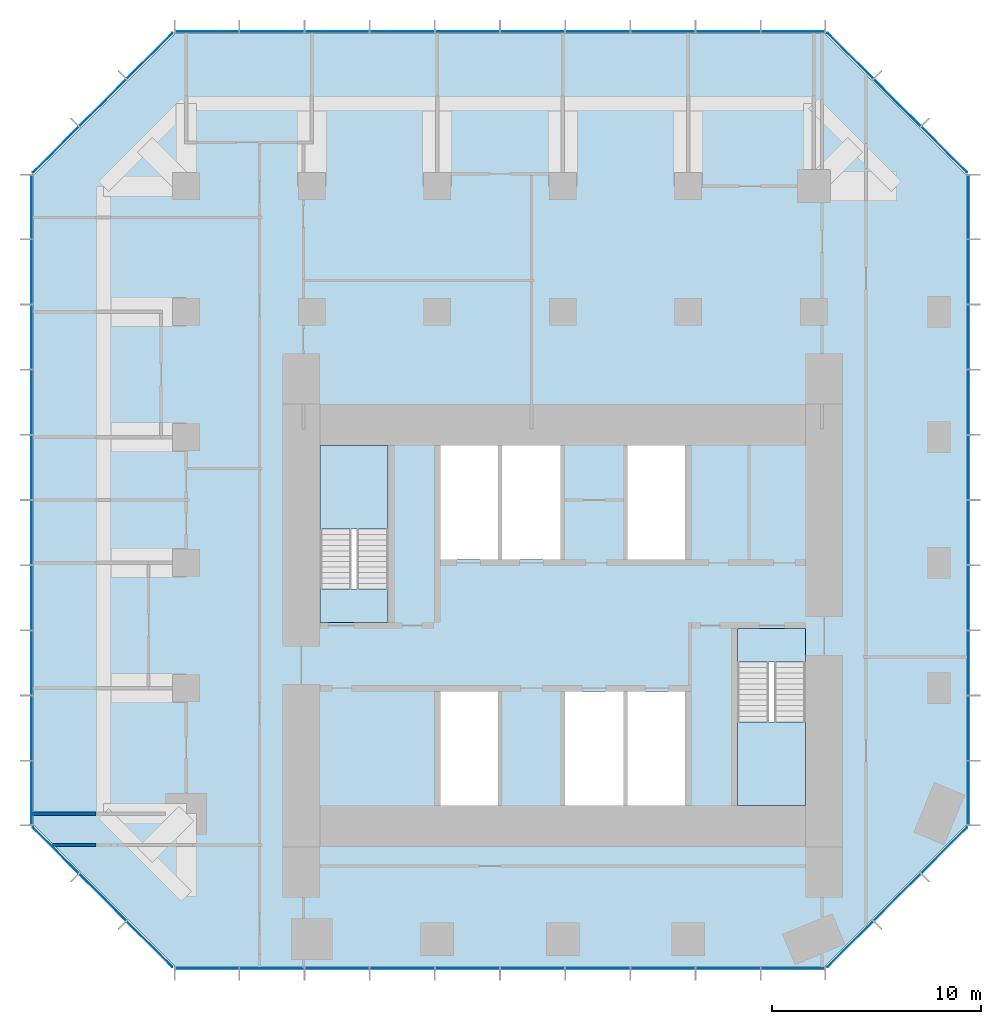
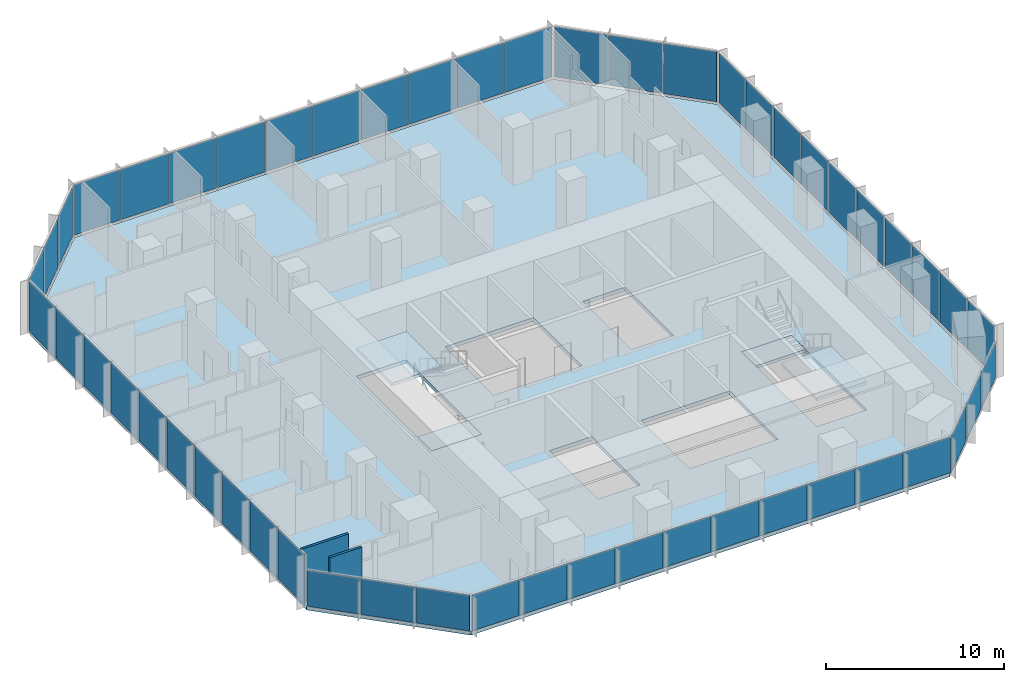
# One storey, part 7 of 11: 52 plates, 5 slabs, 2 walls, 10 elements without a shape of their own.
"""IFC4 building model written with IfcOpenShell, lengths in metres."""

from ifc_helpers import new_model, si_unit, direction, frame, frame_2d, origin, origin_2d, place, context, subcontext, project, spatial, polyline, rectangle, outline, extrude, material, layer, layer_set, type_object, element, aggregate, save


model = new_model("IFC4")

# Units and contexts
model_context = context("Model", 3, precision=1e-05, world=origin(), true_north=direction((0.0, 1.0)))
body_context = subcontext(model_context, "Body", "Model", "MODEL_VIEW")
ifc_project = project(units=[si_unit("LENGTHUNIT", "METRE"), si_unit("AREAUNIT", "SQUARE_METRE"), si_unit("VOLUMEUNIT", "CUBIC_METRE"), si_unit("PLANEANGLEUNIT", "RADIAN"), si_unit("MASSUNIT", "GRAM", prefix="KILO")], contexts=[model_context])

# Site, building, storey
site_placement = place(None, origin())
site = spatial("IfcSite", under=ifc_project, at=site_placement, CompositionType="ELEMENT")
building_placement = place(site_placement, origin())
building = spatial("IfcBuilding", under=site, at=building_placement, Name="Highveld Stack Headquarters", CompositionType="ELEMENT")
storey_placement = place(building_placement, frame((0.0, 0.0, 208.39990234375)))
storey = spatial("IfcBuildingStorey", under=building, at=storey_placement, Name="L51", CompositionType="ELEMENT", Elevation=208.39990234375)

# Curtain wall, plates
ifc_material_1 = material(Name="Aluminium bronze anodised", Category="aluminium")
ifc_layer_1 = layer(ifc_material_1, 0.199951171875)
ifc_layer_set_1 = layer_set([ifc_layer_1], Name="Aluminium bronze anodised")
curtain_wall_type_1 = type_object("IfcCurtainWallType", Name="CW1 TOWER UNITISED CURTAIN WALL", PredefinedType="NOTDEFINED", material=ifc_layer_set_1)
curtain_wall_1_placement = place(storey_placement, origin())
curtain_wall_1 = element("IfcCurtainWall", 1, at=curtain_wall_1_placement, inside=storey, type_object=curtain_wall_type_1, Name="Curtain wall CW1 L51 S", PredefinedType="NOTDEFINED")
ifc_material_2 = material(Name="Glass bronze tinted double glazed unit", Category="glass")
ifc_layer_2 = layer(ifc_material_2, 0.028076171875)
ifc_layer_set_2 = layer_set([ifc_layer_2], Name="Glass bronze tinted double glazed unit")
plate_type_1 = type_object("IfcPlateType", Name="CW1 PANEL BRONZE TINTED DOUBLE GLAZED UNIT", PredefinedType="CURTAIN_PANEL", material=ifc_layer_set_2)
plate_1_placement = place(storey_placement, frame((-11.005615234375, -13.39990234375, 0.10009765625), z_axis=(0.0, 0.0, 1.0), x_axis=(1.0, 0.0, 0.0)))
plate_1 = element("IfcPlate", 2, at=plate_1_placement, type_object=plate_type_1, Name="CW1 panel L51 1.1", PredefinedType="CURTAIN_PANEL", context=body_context, shape_type="SweptSolid", body=[
    extrude(rectangle(XDim=3.0185546875, YDim=0.028076171875, at=origin_2d()), origin(), (0.0, 0.0, 1.0), 2.449951171875),
])
plate_2_placement = place(storey_placement, frame((-7.906005859375, -13.39990234375, 0.10009765625), z_axis=(0.0, 0.0, 1.0), x_axis=(1.0, 0.0, 0.0)))
plate_2 = element("IfcPlate", 3, at=plate_2_placement, type_object=plate_type_1, Name="CW1 panel L51 2.1", PredefinedType="CURTAIN_PANEL", context=body_context, shape_type="SweptSolid", body=[
    extrude(rectangle(XDim=3.051025390625, YDim=0.028076171875, at=origin_2d()), origin(), (0.0, 0.0, 1.0), 2.449951171875),
])
plate_3_placement = place(storey_placement, frame((-4.7900390625, -13.39990234375, 0.10009765625), z_axis=(0.0, 0.0, 1.0), x_axis=(1.0, 0.0, 0.0)))
plate_3 = element("IfcPlate", 4, at=plate_3_placement, type_object=plate_type_1, Name="CW1 panel L51 3.1", PredefinedType="CURTAIN_PANEL", context=body_context, shape_type="SweptSolid", body=[
    extrude(rectangle(XDim=3.051025390625, YDim=0.028076171875, at=origin_2d()), origin(), (0.0, 0.0, 1.0), 2.449951171875),
])
plate_4_placement = place(storey_placement, frame((-1.674072265625, -13.39990234375, 0.10009765625), z_axis=(0.0, 0.0, 1.0), x_axis=(1.0, 0.0, 0.0)))
plate_4 = element("IfcPlate", 5, at=plate_4_placement, type_object=plate_type_1, Name="CW1 panel L51 4.1", PredefinedType="CURTAIN_PANEL", context=body_context, shape_type="SweptSolid", body=[
    extrude(rectangle(XDim=3.051025390625, YDim=0.028076171875, at=origin_2d()), origin(), (0.0, 0.0, 1.0), 2.449951171875),
])
plate_5_placement = place(storey_placement, frame((1.44189453125, -13.39990234375, 0.10009765625), z_axis=(0.0, 0.0, 1.0), x_axis=(1.0, 0.0, 0.0)))
plate_5 = element("IfcPlate", 6, at=plate_5_placement, type_object=plate_type_1, Name="CW1 panel L51 5.1", PredefinedType="CURTAIN_PANEL", context=body_context, shape_type="SweptSolid", body=[
    extrude(rectangle(XDim=3.051025390625, YDim=0.028076171875, at=origin_2d()), origin(), (0.0, 0.0, 1.0), 2.449951171875),
])
plate_6_placement = place(storey_placement, frame((4.55810546875, -13.39990234375, 0.10009765625), z_axis=(0.0, 0.0, 1.0), x_axis=(1.0, 0.0, 0.0)))
plate_6 = element("IfcPlate", 7, at=plate_6_placement, type_object=plate_type_1, Name="CW1 panel L51 6.1", PredefinedType="CURTAIN_PANEL", context=body_context, shape_type="SweptSolid", body=[
    extrude(rectangle(XDim=3.051025390625, YDim=0.028076171875, at=origin_2d()), origin(), (0.0, 0.0, 1.0), 2.449951171875),
])
plate_7_placement = place(storey_placement, frame((7.674072265625, -13.39990234375, 0.10009765625), z_axis=(0.0, 0.0, 1.0), x_axis=(1.0, 0.0, 0.0)))
plate_7 = element("IfcPlate", 8, at=plate_7_placement, type_object=plate_type_1, Name="CW1 panel L51 7.1", PredefinedType="CURTAIN_PANEL", context=body_context, shape_type="SweptSolid", body=[
    extrude(rectangle(XDim=3.051025390625, YDim=0.028076171875, at=origin_2d()), origin(), (0.0, 0.0, 1.0), 2.449951171875),
])
plate_8_placement = place(storey_placement, frame((10.789794921875, -13.39990234375, 0.10009765625), z_axis=(0.0, 0.0, 1.0), x_axis=(1.0, 0.0, 0.0)))
plate_8 = element("IfcPlate", 9, at=plate_8_placement, type_object=plate_type_1, Name="CW1 panel L51 8.1", PredefinedType="CURTAIN_PANEL", context=body_context, shape_type="SweptSolid", body=[
    extrude(rectangle(XDim=3.051025390625, YDim=0.028076171875, at=origin_2d()), origin(), (0.0, 0.0, 1.0), 2.449951171875),
])
plate_9_placement = place(storey_placement, frame((13.906005859375, -13.39990234375, 0.10009765625), z_axis=(0.0, 0.0, 1.0), x_axis=(1.0, 0.0, 0.0)))
plate_9 = element("IfcPlate", 10, at=plate_9_placement, type_object=plate_type_1, Name="CW1 panel L51 9.1", PredefinedType="CURTAIN_PANEL", context=body_context, shape_type="SweptSolid", body=[
    extrude(rectangle(XDim=3.051025390625, YDim=0.028076171875, at=origin_2d()), origin(), (0.0, 0.0, 1.0), 2.449951171875),
])
plate_10_placement = place(storey_placement, frame((17.005615234375, -13.39990234375, 0.10009765625), z_axis=(0.0, 0.0, 1.0), x_axis=(1.0, 0.0, 0.0)))
plate_10 = element("IfcPlate", 11, at=plate_10_placement, type_object=plate_type_1, Name="CW1 panel L51 10.1", PredefinedType="CURTAIN_PANEL", context=body_context, shape_type="SweptSolid", body=[
    extrude(rectangle(XDim=3.0185546875, YDim=0.028076171875, at=origin_2d()), origin(), (0.0, 0.0, 1.0), 2.449951171875),
])
aggregate(curtain_wall_1, [plate_1, plate_2, plate_3, plate_4, plate_5, plate_6, plate_7, plate_8, plate_9, plate_10])

curtain_wall_2_placement = place(storey_placement, origin())
curtain_wall_2 = element("IfcCurtainWall", 12, at=curtain_wall_2_placement, inside=storey, type_object=curtain_wall_type_1, Name="Curtain wall CW1 L51 E", PredefinedType="NOTDEFINED")
plate_11_placement = place(storey_placement, frame((25.39990234375, -5.005615234375, 0.10009765625), z_axis=(0.0, 0.0, 1.0), x_axis=(0.0, 1.0, 0.0)))
plate_11 = element("IfcPlate", 13, at=plate_11_placement, type_object=plate_type_1, Name="CW1 panel L51 1.1", PredefinedType="CURTAIN_PANEL", context=body_context, shape_type="SweptSolid", body=[
    extrude(rectangle(XDim=3.0185546875, YDim=0.028076171875, at=origin_2d()), origin(), (0.0, 0.0, 1.0), 3.449951171875),
])
plate_12_placement = place(storey_placement, frame((25.39990234375, -1.906005859375, 0.10009765625), z_axis=(0.0, 0.0, 1.0), x_axis=(0.0, 1.0, 0.0)))
plate_12 = element("IfcPlate", 14, at=plate_12_placement, type_object=plate_type_1, Name="CW1 panel L51 2.1", PredefinedType="CURTAIN_PANEL", context=body_context, shape_type="SweptSolid", body=[
    extrude(rectangle(XDim=3.051025390625, YDim=0.028076171875, at=origin_2d()), origin(), (0.0, 0.0, 1.0), 3.449951171875),
])
plate_13_placement = place(storey_placement, frame((25.39990234375, 1.2099609375, 0.10009765625), z_axis=(0.0, 0.0, 1.0), x_axis=(0.0, 1.0, 0.0)))
plate_13 = element("IfcPlate", 15, at=plate_13_placement, type_object=plate_type_1, Name="CW1 panel L51 3.1", PredefinedType="CURTAIN_PANEL", context=body_context, shape_type="SweptSolid", body=[
    extrude(rectangle(XDim=3.051025390625, YDim=0.028076171875, at=origin_2d()), origin(), (0.0, 0.0, 1.0), 3.449951171875),
])
plate_14_placement = place(storey_placement, frame((25.39990234375, 4.325927734375, 0.10009765625), z_axis=(0.0, 0.0, 1.0), x_axis=(0.0, 1.0, 0.0)))
plate_14 = element("IfcPlate", 16, at=plate_14_placement, type_object=plate_type_1, Name="CW1 panel L51 4.1", PredefinedType="CURTAIN_PANEL", context=body_context, shape_type="SweptSolid", body=[
    extrude(rectangle(XDim=3.051025390625, YDim=0.028076171875, at=origin_2d()), origin(), (0.0, 0.0, 1.0), 3.449951171875),
])
plate_15_placement = place(storey_placement, frame((25.39990234375, 7.44189453125, 0.10009765625), z_axis=(0.0, 0.0, 1.0), x_axis=(0.0, 1.0, 0.0)))
plate_15 = element("IfcPlate", 17, at=plate_15_placement, type_object=plate_type_1, Name="CW1 panel L51 5.1", PredefinedType="CURTAIN_PANEL", context=body_context, shape_type="SweptSolid", body=[
    extrude(rectangle(XDim=3.051025390625, YDim=0.028076171875, at=origin_2d()), origin(), (0.0, 0.0, 1.0), 3.449951171875),
])
plate_16_placement = place(storey_placement, frame((25.39990234375, 10.55810546875, 0.10009765625), z_axis=(0.0, 0.0, 1.0), x_axis=(0.0, 1.0, 0.0)))
plate_16 = element("IfcPlate", 18, at=plate_16_placement, type_object=plate_type_1, Name="CW1 panel L51 6.1", PredefinedType="CURTAIN_PANEL", context=body_context, shape_type="SweptSolid", body=[
    extrude(rectangle(XDim=3.051025390625, YDim=0.028076171875, at=origin_2d()), origin(), (0.0, 0.0, 1.0), 3.449951171875),
])
plate_17_placement = place(storey_placement, frame((25.39990234375, 13.674072265625, 0.10009765625), z_axis=(0.0, 0.0, 1.0), x_axis=(0.0, 1.0, 0.0)))
plate_17 = element("IfcPlate", 19, at=plate_17_placement, type_object=plate_type_1, Name="CW1 panel L51 7.1", PredefinedType="CURTAIN_PANEL", context=body_context, shape_type="SweptSolid", body=[
    extrude(rectangle(XDim=3.051025390625, YDim=0.028076171875, at=origin_2d()), origin(), (0.0, 0.0, 1.0), 3.449951171875),
])
plate_18_placement = place(storey_placement, frame((25.39990234375, 16.789794921875, 0.10009765625), z_axis=(0.0, 0.0, 1.0), x_axis=(0.0, 1.0, 0.0)))
plate_18 = element("IfcPlate", 20, at=plate_18_placement, type_object=plate_type_1, Name="CW1 panel L51 8.1", PredefinedType="CURTAIN_PANEL", context=body_context, shape_type="SweptSolid", body=[
    extrude(rectangle(XDim=3.051025390625, YDim=0.028076171875, at=origin_2d()), origin(), (0.0, 0.0, 1.0), 3.449951171875),
])
plate_19_placement = place(storey_placement, frame((25.39990234375, 19.906005859375, 0.10009765625), z_axis=(0.0, 0.0, 1.0), x_axis=(0.0, 1.0, 0.0)))
plate_19 = element("IfcPlate", 21, at=plate_19_placement, type_object=plate_type_1, Name="CW1 panel L51 9.1", PredefinedType="CURTAIN_PANEL", context=body_context, shape_type="SweptSolid", body=[
    extrude(rectangle(XDim=3.051025390625, YDim=0.028076171875, at=origin_2d()), origin(), (0.0, 0.0, 1.0), 3.449951171875),
])
plate_20_placement = place(storey_placement, frame((25.39990234375, 23.005615234375, 0.10009765625), z_axis=(0.0, 0.0, 1.0), x_axis=(0.0, 1.0, 0.0)))
plate_20 = element("IfcPlate", 22, at=plate_20_placement, type_object=plate_type_1, Name="CW1 panel L51 10.1", PredefinedType="CURTAIN_PANEL", context=body_context, shape_type="SweptSolid", body=[
    extrude(rectangle(XDim=3.0185546875, YDim=0.028076171875, at=origin_2d()), origin(), (0.0, 0.0, 1.0), 3.449951171875),
])
aggregate(curtain_wall_2, [plate_11, plate_12, plate_13, plate_14, plate_15, plate_16, plate_17, plate_18, plate_19, plate_20])

curtain_wall_3_placement = place(storey_placement, origin())
curtain_wall_3 = element("IfcCurtainWall", 23, at=curtain_wall_3_placement, inside=storey, type_object=curtain_wall_type_1, Name="Curtain wall CW1 L51 N", PredefinedType="NOTDEFINED")
plate_21_placement = place(storey_placement, frame((17.005615234375, 31.39990234375, 0.10009765625), z_axis=(0.0, 0.0, 1.0), x_axis=(-1.0, 0.0, 0.0)))
plate_21 = element("IfcPlate", 24, at=plate_21_placement, type_object=plate_type_1, Name="CW1 panel L51 1.1", PredefinedType="CURTAIN_PANEL", context=body_context, shape_type="SweptSolid", body=[
    extrude(rectangle(XDim=3.0185546875, YDim=0.028076171875, at=origin_2d()), origin(), (0.0, 0.0, 1.0), 3.449951171875),
])
plate_22_placement = place(storey_placement, frame((13.906005859375, 31.39990234375, 0.10009765625), z_axis=(0.0, 0.0, 1.0), x_axis=(-1.0, 0.0, 0.0)))
plate_22 = element("IfcPlate", 25, at=plate_22_placement, type_object=plate_type_1, Name="CW1 panel L51 2.1", PredefinedType="CURTAIN_PANEL", context=body_context, shape_type="SweptSolid", body=[
    extrude(rectangle(XDim=3.051025390625, YDim=0.028076171875, at=origin_2d()), origin(), (0.0, 0.0, 1.0), 3.449951171875),
])
plate_23_placement = place(storey_placement, frame((10.7900390625, 31.39990234375, 0.10009765625), z_axis=(0.0, 0.0, 1.0), x_axis=(-1.0, 0.0, 0.0)))
plate_23 = element("IfcPlate", 26, at=plate_23_placement, type_object=plate_type_1, Name="CW1 panel L51 3.1", PredefinedType="CURTAIN_PANEL", context=body_context, shape_type="SweptSolid", body=[
    extrude(rectangle(XDim=3.051025390625, YDim=0.028076171875, at=origin_2d()), origin(), (0.0, 0.0, 1.0), 3.449951171875),
])
plate_24_placement = place(storey_placement, frame((7.674072265625, 31.39990234375, 0.10009765625), z_axis=(0.0, 0.0, 1.0), x_axis=(-1.0, 0.0, 0.0)))
plate_24 = element("IfcPlate", 27, at=plate_24_placement, type_object=plate_type_1, Name="CW1 panel L51 4.1", PredefinedType="CURTAIN_PANEL", context=body_context, shape_type="SweptSolid", body=[
    extrude(rectangle(XDim=3.051025390625, YDim=0.028076171875, at=origin_2d()), origin(), (0.0, 0.0, 1.0), 3.449951171875),
])
plate_25_placement = place(storey_placement, frame((4.55810546875, 31.39990234375, 0.10009765625), z_axis=(0.0, 0.0, 1.0), x_axis=(-1.0, 0.0, 0.0)))
plate_25 = element("IfcPlate", 28, at=plate_25_placement, type_object=plate_type_1, Name="CW1 panel L51 5.1", PredefinedType="CURTAIN_PANEL", context=body_context, shape_type="SweptSolid", body=[
    extrude(rectangle(XDim=3.051025390625, YDim=0.028076171875, at=origin_2d()), origin(), (0.0, 0.0, 1.0), 3.449951171875),
])
plate_26_placement = place(storey_placement, frame((1.44189453125, 31.39990234375, 0.10009765625), z_axis=(0.0, 0.0, 1.0), x_axis=(-1.0, 0.0, 0.0)))
plate_26 = element("IfcPlate", 29, at=plate_26_placement, type_object=plate_type_1, Name="CW1 panel L51 6.1", PredefinedType="CURTAIN_PANEL", context=body_context, shape_type="SweptSolid", body=[
    extrude(rectangle(XDim=3.051025390625, YDim=0.028076171875, at=origin_2d()), origin(), (0.0, 0.0, 1.0), 3.449951171875),
])
plate_27_placement = place(storey_placement, frame((-1.674072265625, 31.39990234375, 0.10009765625), z_axis=(0.0, 0.0, 1.0), x_axis=(-1.0, 0.0, 0.0)))
plate_27 = element("IfcPlate", 30, at=plate_27_placement, type_object=plate_type_1, Name="CW1 panel L51 7.1", PredefinedType="CURTAIN_PANEL", context=body_context, shape_type="SweptSolid", body=[
    extrude(rectangle(XDim=3.051025390625, YDim=0.028076171875, at=origin_2d()), origin(), (0.0, 0.0, 1.0), 3.449951171875),
])
plate_28_placement = place(storey_placement, frame((-4.789794921875, 31.39990234375, 0.10009765625), z_axis=(0.0, 0.0, 1.0), x_axis=(-1.0, 0.0, 0.0)))
plate_28 = element("IfcPlate", 31, at=plate_28_placement, type_object=plate_type_1, Name="CW1 panel L51 8.1", PredefinedType="CURTAIN_PANEL", context=body_context, shape_type="SweptSolid", body=[
    extrude(rectangle(XDim=3.051025390625, YDim=0.028076171875, at=origin_2d()), origin(), (0.0, 0.0, 1.0), 3.449951171875),
])
plate_29_placement = place(storey_placement, frame((-7.906005859375, 31.39990234375, 0.10009765625), z_axis=(0.0, 0.0, 1.0), x_axis=(-1.0, 0.0, 0.0)))
plate_29 = element("IfcPlate", 32, at=plate_29_placement, type_object=plate_type_1, Name="CW1 panel L51 9.1", PredefinedType="CURTAIN_PANEL", context=body_context, shape_type="SweptSolid", body=[
    extrude(rectangle(XDim=3.051025390625, YDim=0.028076171875, at=origin_2d()), origin(), (0.0, 0.0, 1.0), 3.449951171875),
])
plate_30_placement = place(storey_placement, frame((-11.005615234375, 31.39990234375, 0.10009765625), z_axis=(0.0, 0.0, 1.0), x_axis=(-1.0, 0.0, 0.0)))
plate_30 = element("IfcPlate", 33, at=plate_30_placement, type_object=plate_type_1, Name="CW1 panel L51 10.1", PredefinedType="CURTAIN_PANEL", context=body_context, shape_type="SweptSolid", body=[
    extrude(rectangle(XDim=3.0185546875, YDim=0.028076171875, at=origin_2d()), origin(), (0.0, 0.0, 1.0), 3.449951171875),
])
aggregate(curtain_wall_3, [plate_21, plate_22, plate_23, plate_24, plate_25, plate_26, plate_27, plate_28, plate_29, plate_30])

curtain_wall_4_placement = place(storey_placement, origin())
curtain_wall_4 = element("IfcCurtainWall", 34, at=curtain_wall_4_placement, inside=storey, type_object=curtain_wall_type_1, Name="Curtain wall CW1 L51 W", PredefinedType="NOTDEFINED")
plate_31_placement = place(storey_placement, frame((-19.39990234375, 23.005615234375, 0.10009765625), z_axis=(0.0, 0.0, 1.0), x_axis=(0.0, -1.0, 0.0)))
plate_31 = element("IfcPlate", 35, at=plate_31_placement, type_object=plate_type_1, Name="CW1 panel L51 1.1", PredefinedType="CURTAIN_PANEL", context=body_context, shape_type="SweptSolid", body=[
    extrude(rectangle(XDim=3.0185546875, YDim=0.028076171875, at=origin_2d()), origin(), (0.0, 0.0, 1.0), 3.449951171875),
])
plate_32_placement = place(storey_placement, frame((-19.39990234375, 19.906005859375, 0.10009765625), z_axis=(0.0, 0.0, 1.0), x_axis=(0.0, -1.0, 0.0)))
plate_32 = element("IfcPlate", 36, at=plate_32_placement, type_object=plate_type_1, Name="CW1 panel L51 2.1", PredefinedType="CURTAIN_PANEL", context=body_context, shape_type="SweptSolid", body=[
    extrude(rectangle(XDim=3.051025390625, YDim=0.028076171875, at=origin_2d()), origin(), (0.0, 0.0, 1.0), 3.449951171875),
])
plate_33_placement = place(storey_placement, frame((-19.39990234375, 16.7900390625, 0.10009765625), z_axis=(0.0, 0.0, 1.0), x_axis=(0.0, -1.0, 0.0)))
plate_33 = element("IfcPlate", 37, at=plate_33_placement, type_object=plate_type_1, Name="CW1 panel L51 3.1", PredefinedType="CURTAIN_PANEL", context=body_context, shape_type="SweptSolid", body=[
    extrude(rectangle(XDim=3.051025390625, YDim=0.028076171875, at=origin_2d()), origin(), (0.0, 0.0, 1.0), 3.449951171875),
])
plate_34_placement = place(storey_placement, frame((-19.39990234375, 13.674072265625, 0.10009765625), z_axis=(0.0, 0.0, 1.0), x_axis=(0.0, -1.0, 0.0)))
plate_34 = element("IfcPlate", 38, at=plate_34_placement, type_object=plate_type_1, Name="CW1 panel L51 4.1", PredefinedType="CURTAIN_PANEL", context=body_context, shape_type="SweptSolid", body=[
    extrude(rectangle(XDim=3.051025390625, YDim=0.028076171875, at=origin_2d()), origin(), (0.0, 0.0, 1.0), 3.449951171875),
])
plate_35_placement = place(storey_placement, frame((-19.39990234375, 10.55810546875, 0.10009765625), z_axis=(0.0, 0.0, 1.0), x_axis=(0.0, -1.0, 0.0)))
plate_35 = element("IfcPlate", 39, at=plate_35_placement, type_object=plate_type_1, Name="CW1 panel L51 5.1", PredefinedType="CURTAIN_PANEL", context=body_context, shape_type="SweptSolid", body=[
    extrude(rectangle(XDim=3.051025390625, YDim=0.028076171875, at=origin_2d()), origin(), (0.0, 0.0, 1.0), 3.449951171875),
])
plate_36_placement = place(storey_placement, frame((-19.39990234375, 7.44189453125, 0.10009765625), z_axis=(0.0, 0.0, 1.0), x_axis=(0.0, -1.0, 0.0)))
plate_36 = element("IfcPlate", 40, at=plate_36_placement, type_object=plate_type_1, Name="CW1 panel L51 6.1", PredefinedType="CURTAIN_PANEL", context=body_context, shape_type="SweptSolid", body=[
    extrude(rectangle(XDim=3.051025390625, YDim=0.028076171875, at=origin_2d()), origin(), (0.0, 0.0, 1.0), 3.449951171875),
])
plate_37_placement = place(storey_placement, frame((-19.39990234375, 4.325927734375, 0.10009765625), z_axis=(0.0, 0.0, 1.0), x_axis=(0.0, -1.0, 0.0)))
plate_37 = element("IfcPlate", 41, at=plate_37_placement, type_object=plate_type_1, Name="CW1 panel L51 7.1", PredefinedType="CURTAIN_PANEL", context=body_context, shape_type="SweptSolid", body=[
    extrude(rectangle(XDim=3.051025390625, YDim=0.028076171875, at=origin_2d()), origin(), (0.0, 0.0, 1.0), 3.449951171875),
])
plate_38_placement = place(storey_placement, frame((-19.39990234375, 1.210205078125, 0.10009765625), z_axis=(0.0, 0.0, 1.0), x_axis=(0.0, -1.0, 0.0)))
plate_38 = element("IfcPlate", 42, at=plate_38_placement, type_object=plate_type_1, Name="CW1 panel L51 8.1", PredefinedType="CURTAIN_PANEL", context=body_context, shape_type="SweptSolid", body=[
    extrude(rectangle(XDim=3.051025390625, YDim=0.028076171875, at=origin_2d()), origin(), (0.0, 0.0, 1.0), 3.449951171875),
])
plate_39_placement = place(storey_placement, frame((-19.39990234375, -1.906005859375, 0.10009765625), z_axis=(0.0, 0.0, 1.0), x_axis=(0.0, -1.0, 0.0)))
plate_39 = element("IfcPlate", 43, at=plate_39_placement, type_object=plate_type_1, Name="CW1 panel L51 9.1", PredefinedType="CURTAIN_PANEL", context=body_context, shape_type="SweptSolid", body=[
    extrude(rectangle(XDim=3.051025390625, YDim=0.028076171875, at=origin_2d()), origin(), (0.0, 0.0, 1.0), 3.449951171875),
])
plate_40_placement = place(storey_placement, frame((-19.39990234375, -5.005615234375, 0.10009765625), z_axis=(0.0, 0.0, 1.0), x_axis=(0.0, -1.0, 0.0)))
plate_40 = element("IfcPlate", 44, at=plate_40_placement, type_object=plate_type_1, Name="CW1 panel L51 10.1", PredefinedType="CURTAIN_PANEL", context=body_context, shape_type="SweptSolid", body=[
    extrude(rectangle(XDim=3.0185546875, YDim=0.028076171875, at=origin_2d()), origin(), (0.0, 0.0, 1.0), 3.449951171875),
])
aggregate(curtain_wall_4, [plate_31, plate_32, plate_33, plate_34, plate_35, plate_36, plate_37, plate_38, plate_39, plate_40])

ifc_material_3 = material(Name="Aluminium bronze anodised", Category="aluminium")
ifc_layer_3 = layer(ifc_material_3, 0.199951171875)
ifc_layer_set_3 = layer_set([ifc_layer_3], Name="Aluminium bronze anodised")
curtain_wall_type_2 = type_object("IfcCurtainWallType", Name="CW2 TOWER CHAMFER UNITISED CURTAIN WALL", PredefinedType="NOTDEFINED", material=ifc_layer_set_3)
curtain_wall_5_placement = place(storey_placement, origin())
curtain_wall_5 = element("IfcCurtainWall", 45, at=curtain_wall_5_placement, inside=storey, type_object=curtain_wall_type_2, Name="Curtain wall CW2 L51 SE", PredefinedType="NOTDEFINED")
ifc_material_4 = material(Name="Glass bronze tinted double glazed unit", Category="glass")
ifc_layer_4 = layer(ifc_material_4, 0.028076171875)
ifc_layer_set_4 = layer_set([ifc_layer_4], Name="Glass bronze tinted double glazed unit")
plate_type_2 = type_object("IfcPlateType", Name="CW2 PANEL BRONZE TINTED DOUBLE GLAZED UNIT", PredefinedType="CURTAIN_PANEL", material=ifc_layer_set_4)
plate_41_placement = place(storey_placement, frame((19.740478515625, -12.239501953125, 0.10009765625), z_axis=(0.0, 0.0, 1.0), x_axis=(0.707106781187, 0.707106781187, 0.0)))
plate_41 = element("IfcPlate", 46, at=plate_41_placement, type_object=plate_type_2, Name="CW2 panel L51 1.1", PredefinedType="CURTAIN_PANEL", context=body_context, shape_type="SweptSolid", body=[
    extrude(rectangle(XDim=3.08251953125, YDim=0.028076171875, at=origin_2d()), origin(), (0.0, 0.0, 1.0), 2.449951171875),
])
plate_42_placement = place(storey_placement, frame((21.989990234375, -9.989990234375, 0.10009765625), z_axis=(0.0, 0.0, 1.0), x_axis=(0.707106781187, 0.707106781187, 0.0)))
plate_42 = element("IfcPlate", 47, at=plate_42_placement, type_object=plate_type_2, Name="CW2 panel L51 2.1", PredefinedType="CURTAIN_PANEL", context=body_context, shape_type="SweptSolid", body=[
    extrude(rectangle(XDim=3.14990234375, YDim=0.028076171875, at=origin_2d()), origin(), (0.0, 0.0, 1.0), 2.449951171875),
])
plate_43_placement = place(storey_placement, frame((24.239501953125, -7.740478515625, 0.10009765625), z_axis=(0.0, 0.0, 1.0), x_axis=(0.707106781187, 0.707106781187, 0.0)))
plate_43 = element("IfcPlate", 48, at=plate_43_placement, type_object=plate_type_2, Name="CW2 panel L51 3.1", PredefinedType="CURTAIN_PANEL", context=body_context, shape_type="SweptSolid", body=[
    extrude(rectangle(XDim=3.08251953125, YDim=0.028076171875, at=origin_2d()), origin(), (0.0, 0.0, 1.0), 2.449951171875),
])
aggregate(curtain_wall_5, [plate_41, plate_42, plate_43])

curtain_wall_6_placement = place(storey_placement, origin())
curtain_wall_6 = element("IfcCurtainWall", 49, at=curtain_wall_6_placement, inside=storey, type_object=curtain_wall_type_2, Name="Curtain wall CW2 L51 NE", PredefinedType="NOTDEFINED")
plate_44_placement = place(storey_placement, frame((24.239501953125, 25.740478515625, 0.10009765625), z_axis=(0.0, 0.0, 1.0), x_axis=(-0.707106781187, 0.707106781187, 0.0)))
plate_44 = element("IfcPlate", 50, at=plate_44_placement, type_object=plate_type_2, Name="CW2 panel L51 1.1", PredefinedType="CURTAIN_PANEL", context=body_context, shape_type="SweptSolid", body=[
    extrude(rectangle(XDim=3.08251953125, YDim=0.028076171875, at=origin_2d()), origin(), (0.0, 0.0, 1.0), 3.449951171875),
])
plate_45_placement = place(storey_placement, frame((21.989990234375, 27.989990234375, 0.10009765625), z_axis=(0.0, 0.0, 1.0), x_axis=(-0.707106781187, 0.707106781187, 0.0)))
plate_45 = element("IfcPlate", 51, at=plate_45_placement, type_object=plate_type_2, Name="CW2 panel L51 2.1", PredefinedType="CURTAIN_PANEL", context=body_context, shape_type="SweptSolid", body=[
    extrude(rectangle(XDim=3.14990234375, YDim=0.028076171875, at=origin_2d()), origin(), (0.0, 0.0, 1.0), 3.449951171875),
])
plate_46_placement = place(storey_placement, frame((19.740478515625, 30.239501953125, 0.10009765625), z_axis=(0.0, 0.0, 1.0), x_axis=(-0.707106781187, 0.707106781187, 0.0)))
plate_46 = element("IfcPlate", 52, at=plate_46_placement, type_object=plate_type_2, Name="CW2 panel L51 3.1", PredefinedType="CURTAIN_PANEL", context=body_context, shape_type="SweptSolid", body=[
    extrude(rectangle(XDim=3.08251953125, YDim=0.028076171875, at=origin_2d()), origin(), (0.0, 0.0, 1.0), 3.449951171875),
])
aggregate(curtain_wall_6, [plate_44, plate_45, plate_46])

curtain_wall_7_placement = place(storey_placement, origin())
curtain_wall_7 = element("IfcCurtainWall", 53, at=curtain_wall_7_placement, inside=storey, type_object=curtain_wall_type_2, Name="Curtain wall CW2 L51 NW", PredefinedType="NOTDEFINED")
plate_47_placement = place(storey_placement, frame((-13.740478515625, 30.239501953125, 0.10009765625), z_axis=(0.0, 0.0, 1.0), x_axis=(-0.707106781187, -0.707106781187, 0.0)))
plate_47 = element("IfcPlate", 54, at=plate_47_placement, type_object=plate_type_2, Name="CW2 panel L51 1.1", PredefinedType="CURTAIN_PANEL", context=body_context, shape_type="SweptSolid", body=[
    extrude(rectangle(XDim=3.08251953125, YDim=0.028076171875, at=origin_2d()), origin(), (0.0, 0.0, 1.0), 3.449951171875),
])
plate_48_placement = place(storey_placement, frame((-15.989990234375, 27.989990234375, 0.10009765625), z_axis=(0.0, 0.0, 1.0), x_axis=(-0.707106781187, -0.707106781187, 0.0)))
plate_48 = element("IfcPlate", 55, at=plate_48_placement, type_object=plate_type_2, Name="CW2 panel L51 2.1", PredefinedType="CURTAIN_PANEL", context=body_context, shape_type="SweptSolid", body=[
    extrude(rectangle(XDim=3.14990234375, YDim=0.028076171875, at=origin_2d()), origin(), (0.0, 0.0, 1.0), 3.449951171875),
])
plate_49_placement = place(storey_placement, frame((-18.239501953125, 25.740478515625, 0.10009765625), z_axis=(0.0, 0.0, 1.0), x_axis=(-0.707106781187, -0.707106781187, 0.0)))
plate_49 = element("IfcPlate", 56, at=plate_49_placement, type_object=plate_type_2, Name="CW2 panel L51 3.1", PredefinedType="CURTAIN_PANEL", context=body_context, shape_type="SweptSolid", body=[
    extrude(rectangle(XDim=3.08251953125, YDim=0.028076171875, at=origin_2d()), origin(), (0.0, 0.0, 1.0), 3.449951171875),
])
aggregate(curtain_wall_7, [plate_47, plate_48, plate_49])

curtain_wall_8_placement = place(storey_placement, origin())
curtain_wall_8 = element("IfcCurtainWall", 57, at=curtain_wall_8_placement, inside=storey, type_object=curtain_wall_type_2, Name="Curtain wall CW2 L51 SW", PredefinedType="NOTDEFINED")
plate_50_placement = place(storey_placement, frame((-18.239501953125, -7.740478515625, 0.10009765625), z_axis=(0.0, 0.0, 1.0), x_axis=(0.707106781187, -0.707106781187, 0.0)))
plate_50 = element("IfcPlate", 58, at=plate_50_placement, type_object=plate_type_2, Name="CW2 panel L51 1.1", PredefinedType="CURTAIN_PANEL", context=body_context, shape_type="SweptSolid", body=[
    extrude(rectangle(XDim=3.08251953125, YDim=0.028076171875, at=origin_2d()), origin(), (0.0, 0.0, 1.0), 2.449951171875),
])
plate_51_placement = place(storey_placement, frame((-15.989990234375, -9.989990234375, 0.10009765625), z_axis=(0.0, 0.0, 1.0), x_axis=(0.707106781187, -0.707106781187, 0.0)))
plate_51 = element("IfcPlate", 59, at=plate_51_placement, type_object=plate_type_2, Name="CW2 panel L51 2.1", PredefinedType="CURTAIN_PANEL", context=body_context, shape_type="SweptSolid", body=[
    extrude(rectangle(XDim=3.14990234375, YDim=0.028076171875, at=origin_2d()), origin(), (0.0, 0.0, 1.0), 2.449951171875),
])
plate_52_placement = place(storey_placement, frame((-13.740478515625, -12.239501953125, 0.10009765625), z_axis=(0.0, 0.0, 1.0), x_axis=(0.707106781187, -0.707106781187, 0.0)))
plate_52 = element("IfcPlate", 60, at=plate_52_placement, type_object=plate_type_2, Name="CW2 panel L51 3.1", PredefinedType="CURTAIN_PANEL", context=body_context, shape_type="SweptSolid", body=[
    extrude(rectangle(XDim=3.08251953125, YDim=0.028076171875, at=origin_2d()), origin(), (0.0, 0.0, 1.0), 2.449951171875),
])
aggregate(curtain_wall_8, [plate_50, plate_51, plate_52])

# Slab
ifc_material_5 = material(Name="Concrete C60/75", Category="concrete")
ifc_layer_5 = layer(ifc_material_5, 0.25)
ifc_layer_set_5 = layer_set([ifc_layer_5], Name="Concrete C60/75")
slab_type_1 = type_object("IfcSlabType", Name="PT FLAT SLAB 250", PredefinedType="FLOOR", material=ifc_layer_set_5)
slab_1_placement = place(storey_placement, frame((0.0, 0.0, -0.25)))
element("IfcSlab", 61, at=slab_1_placement, inside=storey, type_object=slab_type_1, Name="Floor slab L51", PredefinedType="FLOOR", context=body_context, shape_type="SweptSolid", body=[
    extrude(outline(polyline([(-12.53857421875, -13.300048828125), (18.53857421875, -13.300048828125), (25.300048828125, -6.53857421875), (25.300048828125, 24.53857421875), (18.53857421875, 31.300048828125), (-12.53857421875, 31.300048828125), (-19.300048828125, 24.53857421875), (-19.300048828125, -6.53857421875), (-12.53857421875, -13.300048828125)]), holes=[polyline([(0.14990234375, 6.14990234375), (5.89990234375, 6.14990234375), (5.89990234375, 11.60009765625), (0.14990234375, 11.60009765625), (0.14990234375, 6.14990234375)]), polyline([(9.10009765625, 6.14990234375), (11.85009765625, 6.14990234375), (11.85009765625, 11.60009765625), (9.10009765625, 11.60009765625), (9.10009765625, 6.14990234375)]), polyline([(6.10009765625, -5.60009765625), (11.85009765625, -5.60009765625), (11.85009765625, -0.14990234375), (6.10009765625, -0.14990234375), (6.10009765625, -5.60009765625)]), polyline([(0.14990234375, -5.60009765625), (2.89990234375, -5.60009765625), (2.89990234375, -0.14990234375), (0.14990234375, -0.14990234375), (0.14990234375, -5.60009765625)]), polyline([(-5.60009765625, 3.14990234375), (-2.35009765625, 3.14990234375), (-2.35009765625, 11.60009765625), (-5.60009765625, 11.60009765625), (-5.60009765625, 3.14990234375)]), polyline([(14.35009765625, -5.60009765625), (17.60009765625, -5.60009765625), (17.60009765625, 2.85009765625), (14.35009765625, 2.85009765625), (14.35009765625, -5.60009765625)])]), origin(), (0.0, 0.0, 1.0), 0.25),
])

# Stair, slabs
ifc_material_6 = material(Name="Concrete C40/50, precast", Category="concrete")
stair_type_1 = type_object("IfcStairType", Name="STAIR S1 HALF TURN 1500", PredefinedType="HALF_TURN_STAIR", material=ifc_material_6)
stair_1_placement = place(storey_placement, origin())
stair_1 = element("IfcStair", 62, at=stair_1_placement, inside=storey, type_object=stair_type_1, Name="Stair S1 L51", PredefinedType="HALF_TURN_STAIR")
ifc_material_7 = material(Name="Concrete C40/50, precast", Category="concrete")
ifc_layer_6 = layer(ifc_material_7, 0.199951171875)
ifc_layer_set_6 = layer_set([ifc_layer_6], Name="Concrete C40/50, precast")
slab_type_2 = type_object("IfcSlabType", Name="STAIR LANDING 200", PredefinedType="LANDING", material=ifc_layer_set_6)
slab_2_placement = place(storey_placement, frame((0.0, 0.0, 1.75)))
slab_2 = element("IfcSlab", 63, at=slab_2_placement, type_object=slab_type_2, Name="S1 landing 1", PredefinedType="LANDING", context=body_context, shape_type="SweptSolid", body=[
    extrude(outline(polyline([(-5.60009765625, 7.610107421875), (-2.35009765625, 7.610107421875), (-2.35009765625, 11.60009765625), (-5.60009765625, 11.60009765625), (-5.60009765625, 7.610107421875)])), origin(), (0.0, 0.0, 1.0), 0.2001953125),
])
slab_3_placement = place(storey_placement, frame((0.0, 0.0, -0.199951171875)))
slab_3 = element("IfcSlab", 64, at=slab_3_placement, type_object=slab_type_2, Name="S1 landing 2", PredefinedType="LANDING", context=body_context, shape_type="SweptSolid", body=[
    extrude(outline(polyline([(-5.60009765625, 3.14990234375), (-2.35009765625, 3.14990234375), (-2.35009765625, 4.75), (-5.60009765625, 4.75), (-5.60009765625, 3.14990234375)])), origin(), (0.0, 0.0, 1.0), 0.199951171875),
])
aggregate(stair_1, [slab_2, slab_3])

ifc_material_8 = material(Name="Concrete C40/50, precast", Category="concrete")
stair_type_2 = type_object("IfcStairType", Name="STAIR S2 HALF TURN 1500", PredefinedType="HALF_TURN_STAIR", material=ifc_material_8)
stair_2_placement = place(storey_placement, origin())
stair_2 = element("IfcStair", 65, at=stair_2_placement, inside=storey, type_object=stair_type_2, Name="Stair S2 L51", PredefinedType="HALF_TURN_STAIR")
slab_4_placement = place(storey_placement, frame((0.0, 0.0, 1.75)))
slab_4 = element("IfcSlab", 66, at=slab_4_placement, type_object=slab_type_2, Name="S2 landing 1", PredefinedType="LANDING", context=body_context, shape_type="SweptSolid", body=[
    extrude(outline(polyline([(14.35009765625, -5.60009765625), (17.60009765625, -5.60009765625), (17.60009765625, -1.610107421875), (14.35009765625, -1.610107421875), (14.35009765625, -5.60009765625)])), origin(), (0.0, 0.0, 1.0), 0.2001953125),
])
slab_5_placement = place(storey_placement, frame((0.0, 0.0, -0.199951171875)))
slab_5 = element("IfcSlab", 67, at=slab_5_placement, type_object=slab_type_2, Name="S2 landing 2", PredefinedType="LANDING", context=body_context, shape_type="SweptSolid", body=[
    extrude(outline(polyline([(14.35009765625, 1.25), (17.60009765625, 1.25), (17.60009765625, 2.85009765625), (14.35009765625, 2.85009765625), (14.35009765625, 1.25)])), origin(), (0.0, 0.0, 1.0), 0.199951171875),
])
aggregate(stair_2, [slab_4, slab_5])

# Walls
ifc_material_9 = material(Name="Gypsum plasterboard on steel studs", Category="steel")
ifc_layer_7 = layer(ifc_material_9, 0.14990234375)
ifc_layer_set_7 = layer_set([ifc_layer_7], Name="Gypsum plasterboard on steel studs")
wall_type = type_object("IfcWallType", Name="PARTITION 150 PLASTERBOARD", PredefinedType="PARTITIONING", material=ifc_layer_set_7)
wall_1_placement = place(storey_placement, frame((-19.39990234375, -6.0, 0.0), z_axis=(0.0, 0.0, 1.0), x_axis=(1.0, 0.0, 0.0)))
element("IfcWall", 68, at=wall_1_placement, inside=storey, type_object=wall_type, Name="Partition Office L51", PredefinedType="PARTITIONING", context=body_context, shape_type="SweptSolid", body=[
    extrude(rectangle(XDim=3.08984375, YDim=0.14990234375, at=frame_2d((1.544921875, 0.0))), origin(), (0.0, 0.0, 1.0), 3.650146484375),
])
wall_2_placement = place(storey_placement, frame((-18.387939453125, -7.5, 0.0), z_axis=(0.0, 0.0, 1.0), x_axis=(1.0, 0.0, 0.0)))
element("IfcWall", 69, at=wall_2_placement, inside=storey, type_object=wall_type, Name="Partition office neighbourhood L51", PredefinedType="PARTITIONING", context=body_context, shape_type="SweptSolid", body=[
    extrude(rectangle(XDim=2.077880859375, YDim=0.14990234375, at=frame_2d((1.0390625, 0.0))), origin(), (0.0, 0.0, 1.0), 3.650146484375),
])

save(model, "model.ifc")
